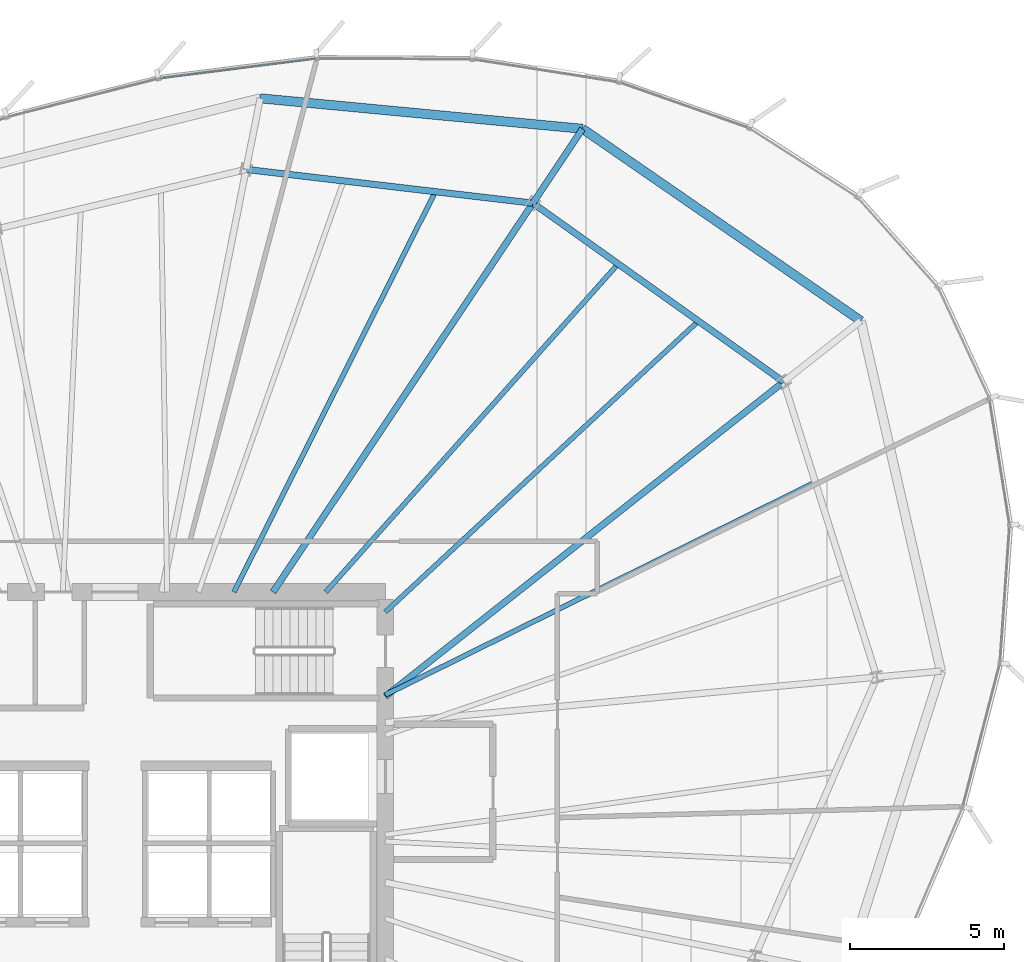
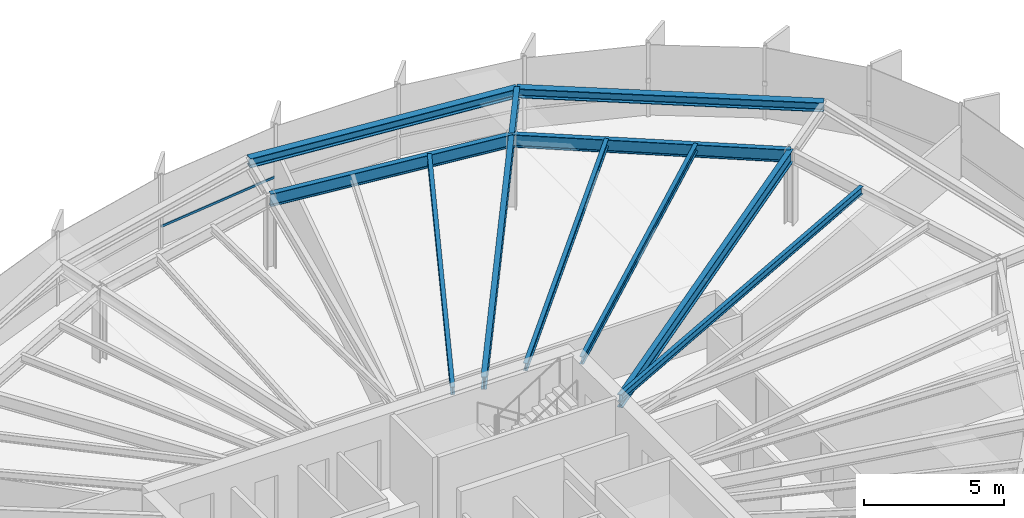
# One storey, part 23 of 35: 11 beams, 1 member, 1 element without a shape of its own.
"""IFC4 building model written with IfcOpenShell, lengths in metres."""

from ifc_helpers import new_model, si_unit, direction, frame, origin, origin_2d, place, context, subcontext, project, spatial, hollow_rectangle, i_section, extrude, source, transform, mapped, material, layer, layer_set, material_profile, profile_set, type_object, element, aggregate, save


model = new_model("IFC4")

# Units and contexts
model_context = context("Model", 3, precision=1e-05, world=origin(), true_north=direction((0.0, 1.0)))
body_context = subcontext(model_context, "Body", "Model", "MODEL_VIEW")
ifc_project = project(units=[si_unit("LENGTHUNIT", "METRE"), si_unit("AREAUNIT", "SQUARE_METRE"), si_unit("VOLUMEUNIT", "CUBIC_METRE"), si_unit("PLANEANGLEUNIT", "RADIAN"), si_unit("MASSUNIT", "GRAM", prefix="KILO"), si_unit("THERMODYNAMICTEMPERATUREUNIT", "KELVIN")], contexts=[model_context])

# Site, building, storey
site_placement = place(None, origin())
site = spatial("IfcSite", under=ifc_project, at=site_placement, CompositionType="ELEMENT")
building_placement = place(site_placement, origin())
building = spatial("IfcBuilding", under=site, at=building_placement, Name="Kethvar Cultural Tower", CompositionType="ELEMENT")
storey_placement = place(building_placement, frame((0.0, 0.0, 167.85009765625)))
storey = spatial("IfcBuildingStorey", under=building, at=storey_placement, Name="L43", CompositionType="ELEMENT", Elevation=167.85009765625)

# Beams
ifc_material_1 = material(Name="Steel S355J2", Category="steel")
ifc_material_profile_1 = material_profile(ifc_material_1, i_section(OverallWidth=0.2099609375, OverallDepth=0.550048828125, WebThickness=0.010986328125, FlangeThickness=0.01708984375, FilletRadius=0.02392578125, at=origin_2d()), Name="Steel S355J2 — IPE550")
ifc_profile_set_1 = profile_set([ifc_material_profile_1], Name="Steel S355J2 — IPE550")
beam_type_1 = type_object("IfcBeamType", Name="BM-IPE550", PredefinedType="BEAM", material=ifc_profile_set_1)
shared_shape_1 = source(origin(), body_context, "Body", "SweptSolid", [
    extrude(i_section(OverallWidth=0.2099609375, OverallDepth=0.550048828125, WebThickness=0.010986328125, FlangeThickness=0.01708984375, FilletRadius=0.02392578125, at=origin_2d()), origin(), (0.0, 0.0, 1.0), 16.527099609375),
])
beam_1_placement = place(storey_placement, frame((55.60009765625, 32.10009765625, 2.962890625), z_axis=(0.784681939021, 0.619898584105, 0.0), x_axis=(-0.619898584105, 0.784681939021, 0.0)))
element("IfcBeam", 1, at=beam_1_placement, inside=storey, type_object=beam_type_1, Name="L43 Primary Radial Beam RB-02", PredefinedType="BEAM", context=body_context, shape_type="MappedRepresentation", body=[
    mapped(shared_shape_1, transform((0.0, 0.0, 0.0), scale=1.0)),
])
shared_shape_2 = source(origin(), body_context, "Body", "SweptSolid", [
    extrude(i_section(OverallWidth=0.2099609375, OverallDepth=0.550048828125, WebThickness=0.010986328125, FlangeThickness=0.01708984375, FilletRadius=0.02392578125, at=origin_2d()), origin(), (0.0, 0.0, 1.0), 15.22705078125),
])
beam_2_placement = place(storey_placement, frame((51.945068359375, 35.5, 2.962890625), z_axis=(0.555569390778, 0.83147017507, 0.0), x_axis=(-0.83147017507, 0.555569390778, 0.0)))
element("IfcBeam", 2, at=beam_2_placement, inside=storey, type_object=beam_type_1, Name="L43 Primary Radial Beam RB-03", PredefinedType="BEAM", context=body_context, shape_type="MappedRepresentation", body=[
    mapped(shared_shape_2, transform((0.0, 0.0, 0.0), scale=1.0)),
])
ifc_material_profile_2 = material_profile(ifc_material_1, i_section(OverallWidth=0.159912109375, OverallDepth=0.330078125, WebThickness=0.007568359375, FlangeThickness=0.011474609375, FilletRadius=0.01806640625, at=origin_2d()), Name="Steel S355J2 — IPE330")
ifc_profile_set_2 = profile_set([ifc_material_profile_2], Name="Steel S355J2 — IPE330")
beam_type_2 = type_object("IfcBeamType", Name="BM-J330", PredefinedType="JOIST", material=ifc_profile_set_2)
shared_shape_3 = source(origin(), body_context, "Body", "SweptSolid", [
    extrude(i_section(OverallWidth=0.159912109375, OverallDepth=0.330078125, WebThickness=0.007568359375, FlangeThickness=0.011474609375, FilletRadius=0.01806640625, at=origin_2d()), origin(), (0.0, 0.0, 1.0), 15.618896484375),
])
beam_3_placement = place(storey_placement, frame((55.60009765625, 32.152587890625, 3.072998046875), z_axis=(0.896344638992, 0.443357968408, 0.0), x_axis=(-0.443357968408, 0.896344638992, 0.0)))
element("IfcBeam", 3, at=beam_3_placement, inside=storey, type_object=beam_type_2, Name="L43 Composite Floor Joist J-01B", PredefinedType="JOIST", context=body_context, shape_type="MappedRepresentation", body=[
    mapped(shared_shape_3, transform((0.0, 0.0, 0.0), scale=1.0)),
])
shared_shape_4 = source(origin(), body_context, "Body", "SweptSolid", [
    extrude(i_section(OverallWidth=0.2099609375, OverallDepth=0.550048828125, WebThickness=0.010986328125, FlangeThickness=0.01708984375, FilletRadius=0.02392578125, at=origin_2d()), origin(), (0.0, 0.0, 1.0), 10.0234375),
])
beam_4_placement = place(storey_placement, frame((68.568603515625, 42.34521484375, 2.962890625), z_axis=(-0.814470106239, 0.580205520521, 0.0), x_axis=(-0.580205520521, -0.814470106239, 0.0)))
element("IfcBeam", 4, at=beam_4_placement, inside=storey, type_object=beam_type_1, Name="L43 Column Ring Tie Beam CR-02", PredefinedType="BEAM", context=body_context, shape_type="MappedRepresentation", body=[
    mapped(shared_shape_4, transform((0.0, 0.0, 0.0), scale=1.0)),
])
shared_shape_5 = source(origin(), body_context, "Body", "SweptSolid", [
    extrude(i_section(OverallWidth=0.159912109375, OverallDepth=0.330078125, WebThickness=0.007568359375, FlangeThickness=0.011474609375, FilletRadius=0.01806640625, at=origin_2d()), origin(), (0.0, 0.0, 1.0), 13.91455078125),
])
beam_5_placement = place(storey_placement, frame((55.60009765625, 34.85009765625, 3.072998046875), z_axis=(0.732512843328, 0.680753211054, 0.0), x_axis=(-0.680753211054, 0.732512843328, 0.0)))
element("IfcBeam", 5, at=beam_5_placement, inside=storey, type_object=beam_type_2, Name="L43 Composite Floor Joist J-02A", PredefinedType="JOIST", context=body_context, shape_type="MappedRepresentation", body=[
    mapped(shared_shape_5, transform((0.0, 0.0, 0.0), scale=1.0)),
])
shared_shape_6 = source(origin(), body_context, "Body", "SweptSolid", [
    extrude(i_section(OverallWidth=0.159912109375, OverallDepth=0.330078125, WebThickness=0.007568359375, FlangeThickness=0.011474609375, FilletRadius=0.01806640625, at=origin_2d()), origin(), (0.0, 0.0, 1.0), 14.3095703125),
])
beam_6_placement = place(storey_placement, frame((53.660888671875, 35.5, 3.072998046875), z_axis=(0.665261381663, 0.746610537073, 0.0), x_axis=(-0.746610537073, 0.665261381663, 0.0)))
element("IfcBeam", 6, at=beam_6_placement, inside=storey, type_object=beam_type_2, Name="L43 Composite Floor Joist J-02B", PredefinedType="JOIST", context=body_context, shape_type="MappedRepresentation", body=[
    mapped(shared_shape_6, transform((0.0, 0.0, 0.0), scale=1.0)),
])
shared_shape_7 = source(origin(), body_context, "Body", "SweptSolid", [
    extrude(i_section(OverallWidth=0.2099609375, OverallDepth=0.550048828125, WebThickness=0.010986328125, FlangeThickness=0.01708984375, FilletRadius=0.02392578125, at=origin_2d()), origin(), (0.0, 0.0, 1.0), 9.400634765625),
])
beam_7_placement = place(storey_placement, frame((60.40478515625, 48.160888671875, 2.962890625), z_axis=(-0.993150427046, 0.116842754407, 0.0), x_axis=(-0.116842754407, -0.993150427046, 0.0)))
element("IfcBeam", 7, at=beam_7_placement, inside=storey, type_object=beam_type_1, Name="L43 Column Ring Tie Beam CR-03", PredefinedType="BEAM", context=body_context, shape_type="MappedRepresentation", body=[
    mapped(shared_shape_7, transform((0.0, 0.0, 0.0), scale=1.0)),
])
shared_shape_8 = source(origin(), body_context, "Body", "SweptSolid", [
    extrude(i_section(OverallWidth=0.159912109375, OverallDepth=0.330078125, WebThickness=0.007568359375, FlangeThickness=0.011474609375, FilletRadius=0.01806640625, at=origin_2d()), origin(), (0.0, 0.0, 1.0), 14.590576171875),
])
beam_8_placement = place(storey_placement, frame((50.673583984375, 35.5, 3.072998046875), z_axis=(0.449394228778, 0.893333547529, 0.0), x_axis=(-0.893333547529, 0.449394228778, 0.0)))
element("IfcBeam", 8, at=beam_8_placement, inside=storey, type_object=beam_type_2, Name="L43 Composite Floor Joist J-03A", PredefinedType="JOIST", context=body_context, shape_type="MappedRepresentation", body=[
    mapped(shared_shape_8, transform((0.0, 0.0, 0.0), scale=1.0)),
])
shared_shape_9 = source(origin(), body_context, "Body", "SweptSolid", [
    extrude(i_section(OverallWidth=0.2099609375, OverallDepth=0.550048828125, WebThickness=0.010986328125, FlangeThickness=0.01708984375, FilletRadius=0.02392578125, at=origin_2d()), origin(), (0.0, 0.0, 1.0), 2.910400390625),
])
beam_9_placement = place(storey_placement, frame((60.40478515625, 48.160888671875, 2.962890625), z_axis=(0.555571006704, 0.831469095342, 0.0), x_axis=(-0.831469095342, 0.555571006704, 0.0)))
element("IfcBeam", 9, at=beam_9_placement, inside=storey, type_object=beam_type_1, Name="L43 Perimeter Cantilever Beam RC-03", PredefinedType="BEAM", context=body_context, shape_type="MappedRepresentation", body=[
    mapped(shared_shape_9, transform((0.0, 0.0, 0.0), scale=1.0)),
])
ifc_material_profile_3 = material_profile(ifc_material_1, i_section(OverallWidth=0.300048828125, OverallDepth=0.39990234375, WebThickness=0.013427734375, FlangeThickness=0.02392578125, FilletRadius=0.027099609375, at=origin_2d()), Name="Steel S355J2 — HEB400")
ifc_profile_set_3 = profile_set([ifc_material_profile_3], Name="Steel S355J2 — HEB400")
beam_type_3 = type_object("IfcBeamType", Name="BM-SP400", PredefinedType="SPANDREL", material=ifc_profile_set_3)
shared_shape_10 = source(origin(), body_context, "Body", "SweptSolid", [
    extrude(i_section(OverallWidth=0.300048828125, OverallDepth=0.39990234375, WebThickness=0.013427734375, FlangeThickness=0.02392578125, FilletRadius=0.027099609375, at=origin_2d()), origin(), (0.0, 0.0, 1.0), 11.005859375),
])
beam_10_placement = place(storey_placement, frame((71.07958984375, 44.3291015625, 3.037841796875), z_axis=(-0.823004308585, 0.56803512924, 0.0), x_axis=(-0.56803512924, -0.823004308585, 0.0)))
element("IfcBeam", 10, at=beam_10_placement, inside=storey, type_object=beam_type_3, Name="L43 Perimeter Spandrel Beam SP-02", PredefinedType="SPANDREL", context=body_context, shape_type="MappedRepresentation", body=[
    mapped(shared_shape_10, transform((0.0, 0.0, 0.0), scale=1.0)),
])
shared_shape_11 = source(origin(), body_context, "Body", "SweptSolid", [
    extrude(i_section(OverallWidth=0.300048828125, OverallDepth=0.39990234375, WebThickness=0.013427734375, FlangeThickness=0.02392578125, FilletRadius=0.027099609375, at=origin_2d()), origin(), (0.0, 0.0, 1.0), 10.539794921875),
])
beam_11_placement = place(storey_placement, frame((62.021728515625, 50.580810546875, 3.037841796875), z_axis=(-0.995556996981, 0.094160850479, 0.0), x_axis=(-0.094160850479, -0.995556996981, 0.0)))
element("IfcBeam", 11, at=beam_11_placement, inside=storey, type_object=beam_type_3, Name="L43 Perimeter Spandrel Beam SP-03", PredefinedType="SPANDREL", context=body_context, shape_type="MappedRepresentation", body=[
    mapped(shared_shape_11, transform((0.0, 0.0, 0.0), scale=1.0)),
])

# Curtain wall, member
ifc_material_2 = material(Name="Aluminium 6063-T6", Category="aluminium")
ifc_layer = layer(ifc_material_2, 0.179931640625, Name="Aluminium 6063-T6", Category="aluminium")
ifc_layer_set = layer_set([ifc_layer], Name="Aluminium 6063-T6 (180 mm)")
curtain_wall_type = type_object("IfcCurtainWallType", Name="CW-SYS-04-Z34", PredefinedType="NOTDEFINED", material=ifc_layer_set)
curtain_wall_placement = place(storey_placement, origin())
curtain_wall = element("IfcCurtainWall", 12, at=curtain_wall_placement, inside=storey, type_object=curtain_wall_type, Name="L43 Curtain Wall Run 01", PredefinedType="NOTDEFINED")
ifc_material_profile_4 = material_profile(ifc_material_2, hollow_rectangle(XDim=0.050048828125, YDim=0.10009765625, WallThickness=0.00390625, at=origin_2d()), Name="Aluminium 6063-T6 — RHS100x50x4")
ifc_profile_set_4 = profile_set([ifc_material_profile_4], Name="Aluminium 6063-T6 — RHS100x50x4")
member_type = type_object("IfcMemberType", Name="CW-SYS-04-Z34-TRN", PredefinedType="USERDEFINED", material=ifc_profile_set_4)
shared_shape_12 = source(origin(), body_context, "Body", "SweptSolid", [
    extrude(hollow_rectangle(XDim=0.050048828125, YDim=0.10009765625, WallThickness=0.00390625, at=origin_2d()), origin(), (0.0, 0.0, 1.0), 5.0869140625),
])
member_placement = place(storey_placement, frame((53.334716796875, 52.864501953125, 0.949951171875), z_axis=(-0.992123536572, -0.125263275467, 0.0), x_axis=(0.125263275467, -0.992123536572, 0.0)))
member = element("IfcMember", 13, at=member_placement, type_object=member_type, Name="CW-L43-R01 Transom 6", ObjectType="TRANSOM", PredefinedType="USERDEFINED", context=body_context, shape_type="MappedRepresentation", body=[
    mapped(shared_shape_12, transform((0.0, 0.0, 0.0), scale=1.0)),
])
aggregate(curtain_wall, [member])

save(model, "model.ifc")
